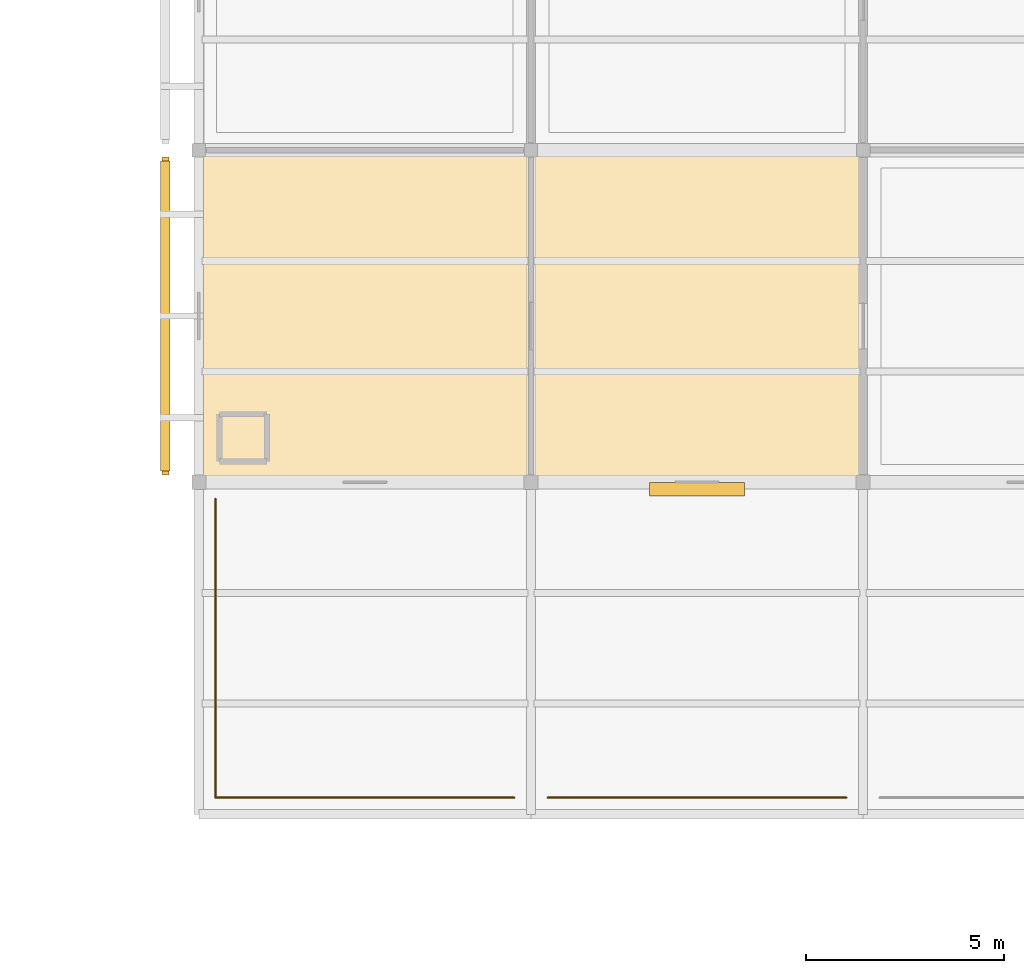
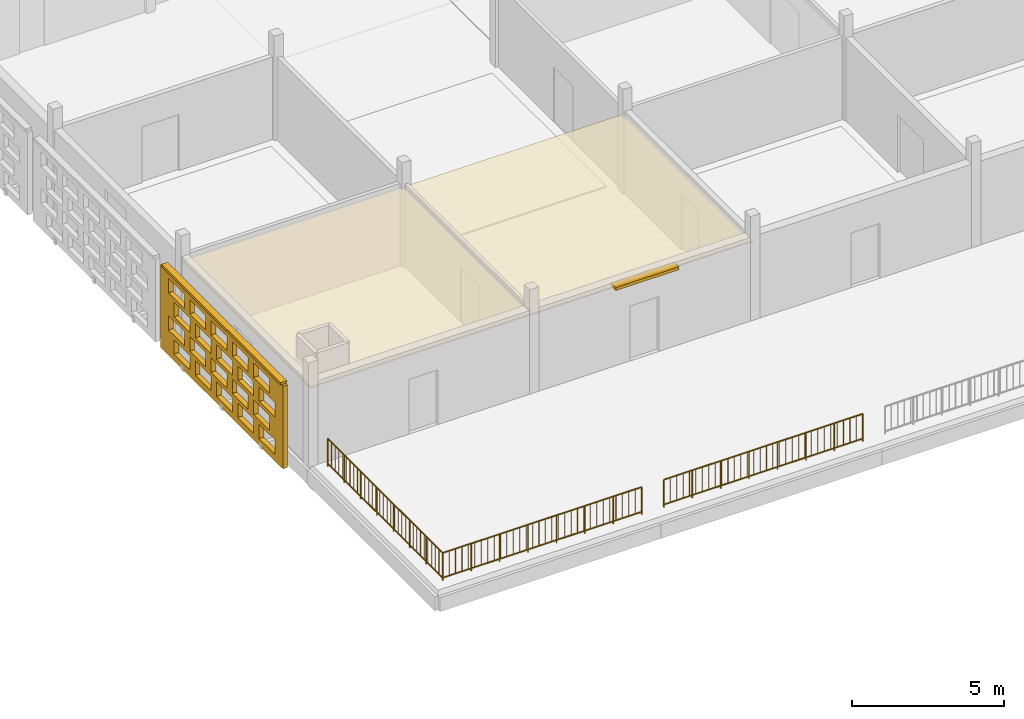
# One storey, part 96 of 103: 3 coverings, 3 railings, 2 shading devices, 20 openings.
"""IFC4 building model written with IfcOpenShell, lengths in metres."""

from ifc_helpers import new_model, si_unit, direction, frame, frame_2d, origin, origin_2d, place, context, subcontext, project, spatial, rectangle, circle, extrude, material, layer, layer_set, type_object, element, save


model = new_model("IFC4")

# Units and contexts
model_context = context("Model", 3, precision=1e-05, world=origin(), true_north=direction((0.0, 1.0)))
body_context = subcontext(model_context, "Body", "Model", "MODEL_VIEW")
ifc_project = project(units=[si_unit("LENGTHUNIT", "METRE"), si_unit("AREAUNIT", "SQUARE_METRE"), si_unit("VOLUMEUNIT", "CUBIC_METRE"), si_unit("PLANEANGLEUNIT", "RADIAN"), si_unit("MASSUNIT", "GRAM", prefix="KILO")], contexts=[model_context])

# Site, building, storey
site_placement = place(None, origin())
site = spatial("IfcSite", under=ifc_project, at=site_placement, CompositionType="ELEMENT")
building_placement = place(site_placement, origin())
building = spatial("IfcBuilding", under=site, at=building_placement, Name="Varnapada Polytechnic", CompositionType="ELEMENT")
storey_placement = place(building_placement, frame((0.0, 0.0, 18.0)))
storey = spatial("IfcBuildingStorey", under=building, at=storey_placement, Name="L04", CompositionType="ELEMENT", Elevation=18.0)

# Shading device
ifc_material_1 = material(Name="Anodised aluminium", Category="aluminium")
ifc_layer_1 = layer(ifc_material_1, 0.35009765625)
ifc_layer_set_1 = layer_set([ifc_layer_1], Name="Anodised aluminium")
shading_device_type_1 = type_object("IfcShadingDeviceType", Name="Solar Louvre LVR-01", PredefinedType="JALOUSIE", material=ifc_layer_set_1)
shading_device_1_placement = place(storey_placement, frame((155.39990234375, 67.02001953125, 3.159912109375), z_axis=(0.0, 0.0, 1.0), x_axis=(-1.0, 0.0, 0.0)))
element("IfcShadingDevice", 1, at=shading_device_1_placement, inside=storey, type_object=shading_device_type_1, Name="L04 aluminium sun louvre 49", PredefinedType="JALOUSIE", context=body_context, shape_type="SweptSolid", body=[
    extrude(rectangle(XDim=2.39990234375, YDim=0.340087890625, at=origin_2d()), origin(), (0.0, 0.0, 1.0), 0.1201171875),
])

# Coverings
ifc_material_2 = material(Name="Micro-Perforated Gypsum Acoustic Ceiling")
ifc_layer_2 = layer(ifc_material_2, 0.044921875)
ifc_layer_set_2 = layer_set([ifc_layer_2], Name="Micro-Perforated Gypsum Acoustic Ceiling")
covering_type_1 = type_object("IfcCoveringType", Name="Suspended Ceiling CLG-04", PredefinedType="CEILING", material=ifc_layer_set_2)
covering_1_placement = place(storey_placement, frame((155.39990234375, 71.39990234375, 3.027587890625), z_axis=(0.0, 0.0, 1.0), x_axis=(1.0, 0.0, 0.0)))
element("IfcCovering", 2, at=covering_1_placement, inside=storey, type_object=covering_type_1, Name="L04 suspended acoustic ceiling (19,9)", PredefinedType="CEILING", context=body_context, shape_type="SweptSolid", body=[
    extrude(rectangle(XDim=8.419921875, YDim=8.419921875, at=origin_2d()), origin(), (0.0, 0.0, 1.0), 0.044921875),
])
ifc_material_3 = material(Name="Slatted Merbau Timber Acoustic Ceiling", Category="wood")
ifc_layer_3 = layer(ifc_material_3, 0.054931640625)
ifc_layer_set_3 = layer_set([ifc_layer_3], Name="Slatted Merbau Timber Acoustic Ceiling")
covering_type_2 = type_object("IfcCoveringType", Name="Suspended Ceiling CLG-05", PredefinedType="CEILING", material=ifc_layer_set_3)
covering_2_placement = place(storey_placement, frame((147.0, 71.39990234375, 3.0224609375), z_axis=(0.0, 0.0, 1.0), x_axis=(1.0, 0.0, 0.0)))
element("IfcCovering", 3, at=covering_2_placement, inside=storey, type_object=covering_type_2, Name="L04 suspended acoustic ceiling (18,9)", PredefinedType="CEILING", context=body_context, shape_type="SweptSolid", body=[
    extrude(rectangle(XDim=8.419921875, YDim=8.419921875, at=origin_2d()), origin(), (0.0, 0.0, 1.0), 0.054931640625),
])

# Railings
ifc_material_4 = material(Name="Painted galvanized steel", Category="steel")
railing_type = type_object("IfcRailingType", Name="Terrace Guard Rail GRD-01", PredefinedType="BALUSTRADE", material=ifc_material_4)
railing_1_placement = place(storey_placement, frame((143.219970703125, 59.219970703125, 0.0)))
element("IfcRailing", 4, at=railing_1_placement, inside=storey, type_object=railing_type, Name="L04 terrace perimeter guard rail 6", PredefinedType="BALUSTRADE", context=body_context, shape_type="SweptSolid", body=[
    extrude(circle(Radius=0.02392578125, at=origin_2d()), frame((0.0, 0.0, 1.09619140625), z_axis=(1.0, 0.0, 0.0), x_axis=(0.0, 1.0, 0.0)), (0.0, 0.0, 1.0), 7.56005859375),
    extrude(circle(Radius=0.02392578125, at=origin_2d()), frame((0.0, 0.0, 0.10009765625), z_axis=(1.0, 0.0, 0.0), x_axis=(0.0, 1.0, 0.0)), (0.0, 0.0, 1.0), 7.56005859375),
    extrude(circle(Radius=0.02099609375, at=origin_2d()), origin(), (0.0, 0.0, 1.0), 1.072021484375),
    extrude(circle(Radius=0.02099609375, at=origin_2d()), frame((1.080078125, 0.0, 0.0)), (0.0, 0.0, 1.0), 1.072021484375),
    extrude(circle(Radius=0.02099609375, at=origin_2d()), frame((2.159912109375, 0.0, 0.0)), (0.0, 0.0, 1.0), 1.072021484375),
    extrude(circle(Radius=0.02099609375, at=origin_2d()), frame((3.239990234375, 0.0, 0.0)), (0.0, 0.0, 1.0), 1.072021484375),
    extrude(circle(Radius=0.02099609375, at=origin_2d()), frame((4.320068359375, 0.0, 0.0)), (0.0, 0.0, 1.0), 1.072021484375),
    extrude(circle(Radius=0.02099609375, at=origin_2d()), frame((5.400146484375, 0.0, 0.0)), (0.0, 0.0, 1.0), 1.072021484375),
    extrude(circle(Radius=0.02099609375, at=origin_2d()), frame((6.47998046875, 0.0, 0.0)), (0.0, 0.0, 1.0), 1.072021484375),
    extrude(circle(Radius=0.02099609375, at=origin_2d()), frame((7.56005859375, 0.0, 0.0)), (0.0, 0.0, 1.0), 1.072021484375),
    extrude(circle(Radius=0.010009765625, at=origin_2d()), frame((0.243896484375, 0.0, 0.10009765625)), (0.0, 0.0, 1.0), 0.971923828125),
    extrude(circle(Radius=0.010009765625, at=origin_2d()), frame((0.48779296875, 0.0, 0.10009765625)), (0.0, 0.0, 1.0), 0.971923828125),
    extrude(circle(Radius=0.010009765625, at=origin_2d()), frame((0.731689453125, 0.0, 0.10009765625)), (0.0, 0.0, 1.0), 0.971923828125),
    extrude(circle(Radius=0.010009765625, at=origin_2d()), frame((0.9755859375, 0.0, 0.10009765625)), (0.0, 0.0, 1.0), 0.971923828125),
    extrude(circle(Radius=0.010009765625, at=origin_2d()), frame((1.219482421875, 0.0, 0.10009765625)), (0.0, 0.0, 1.0), 0.971923828125),
    extrude(circle(Radius=0.010009765625, at=origin_2d()), frame((1.463134765625, 0.0, 0.10009765625)), (0.0, 0.0, 1.0), 0.971923828125),
    extrude(circle(Radius=0.010009765625, at=origin_2d()), frame((1.70703125, 0.0, 0.10009765625)), (0.0, 0.0, 1.0), 0.971923828125),
    extrude(circle(Radius=0.010009765625, at=origin_2d()), frame((1.950927734375, 0.0, 0.10009765625)), (0.0, 0.0, 1.0), 0.971923828125),
    extrude(circle(Radius=0.010009765625, at=origin_2d()), frame((2.19482421875, 0.0, 0.10009765625)), (0.0, 0.0, 1.0), 0.971923828125),
    extrude(circle(Radius=0.010009765625, at=origin_2d()), frame((2.438720703125, 0.0, 0.10009765625)), (0.0, 0.0, 1.0), 0.971923828125),
    extrude(circle(Radius=0.010009765625, at=origin_2d()), frame((2.6826171875, 0.0, 0.10009765625)), (0.0, 0.0, 1.0), 0.971923828125),
    extrude(circle(Radius=0.010009765625, at=origin_2d()), frame((2.926513671875, 0.0, 0.10009765625)), (0.0, 0.0, 1.0), 0.971923828125),
    extrude(circle(Radius=0.010009765625, at=origin_2d()), frame((3.17041015625, 0.0, 0.10009765625)), (0.0, 0.0, 1.0), 0.971923828125),
    extrude(circle(Radius=0.010009765625, at=origin_2d()), frame((3.414306640625, 0.0, 0.10009765625)), (0.0, 0.0, 1.0), 0.971923828125),
    extrude(circle(Radius=0.010009765625, at=origin_2d()), frame((3.658203125, 0.0, 0.10009765625)), (0.0, 0.0, 1.0), 0.971923828125),
    extrude(circle(Radius=0.010009765625, at=origin_2d()), frame((3.90185546875, 0.0, 0.10009765625)), (0.0, 0.0, 1.0), 0.971923828125),
    extrude(circle(Radius=0.010009765625, at=origin_2d()), frame((4.145751953125, 0.0, 0.10009765625)), (0.0, 0.0, 1.0), 0.971923828125),
    extrude(circle(Radius=0.010009765625, at=origin_2d()), frame((4.3896484375, 0.0, 0.10009765625)), (0.0, 0.0, 1.0), 0.971923828125),
    extrude(circle(Radius=0.010009765625, at=origin_2d()), frame((4.633544921875, 0.0, 0.10009765625)), (0.0, 0.0, 1.0), 0.971923828125),
    extrude(circle(Radius=0.010009765625, at=origin_2d()), frame((4.87744140625, 0.0, 0.10009765625)), (0.0, 0.0, 1.0), 0.971923828125),
    extrude(circle(Radius=0.010009765625, at=origin_2d()), frame((5.121337890625, 0.0, 0.10009765625)), (0.0, 0.0, 1.0), 0.971923828125),
    extrude(circle(Radius=0.010009765625, at=origin_2d()), frame((5.365234375, 0.0, 0.10009765625)), (0.0, 0.0, 1.0), 0.971923828125),
    extrude(circle(Radius=0.010009765625, at=origin_2d()), frame((5.609130859375, 0.0, 0.10009765625)), (0.0, 0.0, 1.0), 0.971923828125),
    extrude(circle(Radius=0.010009765625, at=origin_2d()), frame((5.85302734375, 0.0, 0.10009765625)), (0.0, 0.0, 1.0), 0.971923828125),
    extrude(circle(Radius=0.010009765625, at=origin_2d()), frame((6.096923828125, 0.0, 0.10009765625)), (0.0, 0.0, 1.0), 0.971923828125),
    extrude(circle(Radius=0.010009765625, at=origin_2d()), frame((6.340576171875, 0.0, 0.10009765625)), (0.0, 0.0, 1.0), 0.971923828125),
    extrude(circle(Radius=0.010009765625, at=origin_2d()), frame((6.58447265625, 0.0, 0.10009765625)), (0.0, 0.0, 1.0), 0.971923828125),
    extrude(circle(Radius=0.010009765625, at=origin_2d()), frame((6.828369140625, 0.0, 0.10009765625)), (0.0, 0.0, 1.0), 0.971923828125),
    extrude(circle(Radius=0.010009765625, at=origin_2d()), frame((7.072265625, 0.0, 0.10009765625)), (0.0, 0.0, 1.0), 0.971923828125),
    extrude(circle(Radius=0.010009765625, at=origin_2d()), frame((7.316162109375, 0.0, 0.10009765625)), (0.0, 0.0, 1.0), 0.971923828125),
])
railing_2_placement = place(storey_placement, frame((143.219970703125, 59.219970703125, 0.0)))
element("IfcRailing", 5, at=railing_2_placement, inside=storey, type_object=railing_type, Name="L04 terrace perimeter guard rail 7", PredefinedType="BALUSTRADE", context=body_context, shape_type="SweptSolid", body=[
    extrude(circle(Radius=0.02392578125, at=origin_2d()), frame((0.0, 0.0, 1.09619140625), z_axis=(0.0, 1.0, 0.0), x_axis=(-1.0, 0.0, 0.0)), (0.0, 0.0, 1.0), 7.56005859375),
    extrude(circle(Radius=0.02392578125, at=origin_2d()), frame((0.0, 0.0, 0.10009765625), z_axis=(0.0, 1.0, 0.0), x_axis=(-1.0, 0.0, 0.0)), (0.0, 0.0, 1.0), 7.56005859375),
    extrude(circle(Radius=0.02099609375, at=origin_2d()), origin(), (0.0, 0.0, 1.0), 1.072021484375),
    extrude(circle(Radius=0.02099609375, at=origin_2d()), frame((0.0, 1.080078125, 0.0)), (0.0, 0.0, 1.0), 1.072021484375),
    extrude(circle(Radius=0.02099609375, at=origin_2d()), frame((0.0, 2.159912109375, 0.0)), (0.0, 0.0, 1.0), 1.072021484375),
    extrude(circle(Radius=0.02099609375, at=origin_2d()), frame((0.0, 3.239990234375, 0.0)), (0.0, 0.0, 1.0), 1.072021484375),
    extrude(circle(Radius=0.02099609375, at=origin_2d()), frame((0.0, 4.320068359375, 0.0)), (0.0, 0.0, 1.0), 1.072021484375),
    extrude(circle(Radius=0.02099609375, at=origin_2d()), frame((0.0, 5.400146484375, 0.0)), (0.0, 0.0, 1.0), 1.072021484375),
    extrude(circle(Radius=0.02099609375, at=origin_2d()), frame((0.0, 6.47998046875, 0.0)), (0.0, 0.0, 1.0), 1.072021484375),
    extrude(circle(Radius=0.02099609375, at=origin_2d()), frame((0.0, 7.56005859375, 0.0)), (0.0, 0.0, 1.0), 1.072021484375),
    extrude(circle(Radius=0.010009765625, at=origin_2d()), frame((0.0, 0.243896484375, 0.10009765625)), (0.0, 0.0, 1.0), 0.971923828125),
    extrude(circle(Radius=0.010009765625, at=origin_2d()), frame((0.0, 0.48779296875, 0.10009765625)), (0.0, 0.0, 1.0), 0.971923828125),
    extrude(circle(Radius=0.010009765625, at=origin_2d()), frame((0.0, 0.731689453125, 0.10009765625)), (0.0, 0.0, 1.0), 0.971923828125),
    extrude(circle(Radius=0.010009765625, at=origin_2d()), frame((0.0, 0.9755859375, 0.10009765625)), (0.0, 0.0, 1.0), 0.971923828125),
    extrude(circle(Radius=0.010009765625, at=origin_2d()), frame((0.0, 1.219482421875, 0.10009765625)), (0.0, 0.0, 1.0), 0.971923828125),
    extrude(circle(Radius=0.010009765625, at=origin_2d()), frame((0.0, 1.463134765625, 0.10009765625)), (0.0, 0.0, 1.0), 0.971923828125),
    extrude(circle(Radius=0.010009765625, at=origin_2d()), frame((0.0, 1.70703125, 0.10009765625)), (0.0, 0.0, 1.0), 0.971923828125),
    extrude(circle(Radius=0.010009765625, at=origin_2d()), frame((0.0, 1.950927734375, 0.10009765625)), (0.0, 0.0, 1.0), 0.971923828125),
    extrude(circle(Radius=0.010009765625, at=origin_2d()), frame((0.0, 2.19482421875, 0.10009765625)), (0.0, 0.0, 1.0), 0.971923828125),
    extrude(circle(Radius=0.010009765625, at=origin_2d()), frame((0.0, 2.438720703125, 0.10009765625)), (0.0, 0.0, 1.0), 0.971923828125),
    extrude(circle(Radius=0.010009765625, at=origin_2d()), frame((0.0, 2.6826171875, 0.10009765625)), (0.0, 0.0, 1.0), 0.971923828125),
    extrude(circle(Radius=0.010009765625, at=origin_2d()), frame((0.0, 2.926513671875, 0.10009765625)), (0.0, 0.0, 1.0), 0.971923828125),
    extrude(circle(Radius=0.010009765625, at=origin_2d()), frame((0.0, 3.17041015625, 0.10009765625)), (0.0, 0.0, 1.0), 0.971923828125),
    extrude(circle(Radius=0.010009765625, at=origin_2d()), frame((0.0, 3.414306640625, 0.10009765625)), (0.0, 0.0, 1.0), 0.971923828125),
    extrude(circle(Radius=0.010009765625, at=origin_2d()), frame((0.0, 3.658203125, 0.10009765625)), (0.0, 0.0, 1.0), 0.971923828125),
    extrude(circle(Radius=0.010009765625, at=origin_2d()), frame((0.0, 3.90185546875, 0.10009765625)), (0.0, 0.0, 1.0), 0.971923828125),
    extrude(circle(Radius=0.010009765625, at=origin_2d()), frame((0.0, 4.145751953125, 0.10009765625)), (0.0, 0.0, 1.0), 0.971923828125),
    extrude(circle(Radius=0.010009765625, at=origin_2d()), frame((0.0, 4.3896484375, 0.10009765625)), (0.0, 0.0, 1.0), 0.971923828125),
    extrude(circle(Radius=0.010009765625, at=origin_2d()), frame((0.0, 4.633544921875, 0.10009765625)), (0.0, 0.0, 1.0), 0.971923828125),
    extrude(circle(Radius=0.010009765625, at=origin_2d()), frame((0.0, 4.87744140625, 0.10009765625)), (0.0, 0.0, 1.0), 0.971923828125),
    extrude(circle(Radius=0.010009765625, at=origin_2d()), frame((0.0, 5.121337890625, 0.10009765625)), (0.0, 0.0, 1.0), 0.971923828125),
    extrude(circle(Radius=0.010009765625, at=origin_2d()), frame((0.0, 5.365234375, 0.10009765625)), (0.0, 0.0, 1.0), 0.971923828125),
    extrude(circle(Radius=0.010009765625, at=origin_2d()), frame((0.0, 5.609130859375, 0.10009765625)), (0.0, 0.0, 1.0), 0.971923828125),
    extrude(circle(Radius=0.010009765625, at=origin_2d()), frame((0.0, 5.85302734375, 0.10009765625)), (0.0, 0.0, 1.0), 0.971923828125),
    extrude(circle(Radius=0.010009765625, at=origin_2d()), frame((0.0, 6.096923828125, 0.10009765625)), (0.0, 0.0, 1.0), 0.971923828125),
    extrude(circle(Radius=0.010009765625, at=origin_2d()), frame((0.0, 6.340576171875, 0.10009765625)), (0.0, 0.0, 1.0), 0.971923828125),
    extrude(circle(Radius=0.010009765625, at=origin_2d()), frame((0.0, 6.58447265625, 0.10009765625)), (0.0, 0.0, 1.0), 0.971923828125),
    extrude(circle(Radius=0.010009765625, at=origin_2d()), frame((0.0, 6.828369140625, 0.10009765625)), (0.0, 0.0, 1.0), 0.971923828125),
    extrude(circle(Radius=0.010009765625, at=origin_2d()), frame((0.0, 7.072265625, 0.10009765625)), (0.0, 0.0, 1.0), 0.971923828125),
    extrude(circle(Radius=0.010009765625, at=origin_2d()), frame((0.0, 7.316162109375, 0.10009765625)), (0.0, 0.0, 1.0), 0.971923828125),
])
railing_3_placement = place(storey_placement, frame((151.6201171875, 59.219970703125, 0.0)))
element("IfcRailing", 6, at=railing_3_placement, inside=storey, type_object=railing_type, Name="L04 terrace perimeter guard rail 8", PredefinedType="BALUSTRADE", context=body_context, shape_type="SweptSolid", body=[
    extrude(circle(Radius=0.02392578125, at=origin_2d()), frame((0.0, 0.0, 1.09619140625), z_axis=(1.0, 0.0, 0.0), x_axis=(0.0, 1.0, 0.0)), (0.0, 0.0, 1.0), 7.559814453125),
    extrude(circle(Radius=0.02392578125, at=origin_2d()), frame((0.0, 0.0, 0.10009765625), z_axis=(1.0, 0.0, 0.0), x_axis=(0.0, 1.0, 0.0)), (0.0, 0.0, 1.0), 7.559814453125),
    extrude(circle(Radius=0.02099609375, at=origin_2d()), origin(), (0.0, 0.0, 1.0), 1.072021484375),
    extrude(circle(Radius=0.02099609375, at=origin_2d()), frame((1.080078125, 0.0, 0.0)), (0.0, 0.0, 1.0), 1.072021484375),
    extrude(circle(Radius=0.02099609375, at=origin_2d()), frame((2.159912109375, 0.0, 0.0)), (0.0, 0.0, 1.0), 1.072021484375),
    extrude(circle(Radius=0.02099609375, at=origin_2d()), frame((3.239990234375, 0.0, 0.0)), (0.0, 0.0, 1.0), 1.072021484375),
    extrude(circle(Radius=0.02099609375, at=origin_2d()), frame((4.31982421875, 0.0, 0.0)), (0.0, 0.0, 1.0), 1.072021484375),
    extrude(circle(Radius=0.02099609375, at=origin_2d()), frame((5.39990234375, 0.0, 0.0)), (0.0, 0.0, 1.0), 1.072021484375),
    extrude(circle(Radius=0.02099609375, at=origin_2d()), frame((6.479736328125, 0.0, 0.0)), (0.0, 0.0, 1.0), 1.072021484375),
    extrude(circle(Radius=0.02099609375, at=origin_2d()), frame((7.559814453125, 0.0, 0.0)), (0.0, 0.0, 1.0), 1.072021484375),
    extrude(circle(Radius=0.010009765625, at=origin_2d()), frame((0.243896484375, 0.0, 0.10009765625)), (0.0, 0.0, 1.0), 0.971923828125),
    extrude(circle(Radius=0.010009765625, at=origin_2d()), frame((0.48779296875, 0.0, 0.10009765625)), (0.0, 0.0, 1.0), 0.971923828125),
    extrude(circle(Radius=0.010009765625, at=origin_2d()), frame((0.731689453125, 0.0, 0.10009765625)), (0.0, 0.0, 1.0), 0.971923828125),
    extrude(circle(Radius=0.010009765625, at=origin_2d()), frame((0.975341796875, 0.0, 0.10009765625)), (0.0, 0.0, 1.0), 0.971923828125),
    extrude(circle(Radius=0.010009765625, at=origin_2d()), frame((1.21923828125, 0.0, 0.10009765625)), (0.0, 0.0, 1.0), 0.971923828125),
    extrude(circle(Radius=0.010009765625, at=origin_2d()), frame((1.463134765625, 0.0, 0.10009765625)), (0.0, 0.0, 1.0), 0.971923828125),
    extrude(circle(Radius=0.010009765625, at=origin_2d()), frame((1.70703125, 0.0, 0.10009765625)), (0.0, 0.0, 1.0), 0.971923828125),
    extrude(circle(Radius=0.010009765625, at=origin_2d()), frame((1.950927734375, 0.0, 0.10009765625)), (0.0, 0.0, 1.0), 0.971923828125),
    extrude(circle(Radius=0.010009765625, at=origin_2d()), frame((2.19482421875, 0.0, 0.10009765625)), (0.0, 0.0, 1.0), 0.971923828125),
    extrude(circle(Radius=0.010009765625, at=origin_2d()), frame((2.438720703125, 0.0, 0.10009765625)), (0.0, 0.0, 1.0), 0.971923828125),
    extrude(circle(Radius=0.010009765625, at=origin_2d()), frame((2.6826171875, 0.0, 0.10009765625)), (0.0, 0.0, 1.0), 0.971923828125),
    extrude(circle(Radius=0.010009765625, at=origin_2d()), frame((2.92626953125, 0.0, 0.10009765625)), (0.0, 0.0, 1.0), 0.971923828125),
    extrude(circle(Radius=0.010009765625, at=origin_2d()), frame((3.170166015625, 0.0, 0.10009765625)), (0.0, 0.0, 1.0), 0.971923828125),
    extrude(circle(Radius=0.010009765625, at=origin_2d()), frame((3.4140625, 0.0, 0.10009765625)), (0.0, 0.0, 1.0), 0.971923828125),
    extrude(circle(Radius=0.010009765625, at=origin_2d()), frame((3.657958984375, 0.0, 0.10009765625)), (0.0, 0.0, 1.0), 0.971923828125),
    extrude(circle(Radius=0.010009765625, at=origin_2d()), frame((3.90185546875, 0.0, 0.10009765625)), (0.0, 0.0, 1.0), 0.971923828125),
    extrude(circle(Radius=0.010009765625, at=origin_2d()), frame((4.145751953125, 0.0, 0.10009765625)), (0.0, 0.0, 1.0), 0.971923828125),
    extrude(circle(Radius=0.010009765625, at=origin_2d()), frame((4.3896484375, 0.0, 0.10009765625)), (0.0, 0.0, 1.0), 0.971923828125),
    extrude(circle(Radius=0.010009765625, at=origin_2d()), frame((4.633544921875, 0.0, 0.10009765625)), (0.0, 0.0, 1.0), 0.971923828125),
    extrude(circle(Radius=0.010009765625, at=origin_2d()), frame((4.877197265625, 0.0, 0.10009765625)), (0.0, 0.0, 1.0), 0.971923828125),
    extrude(circle(Radius=0.010009765625, at=origin_2d()), frame((5.12109375, 0.0, 0.10009765625)), (0.0, 0.0, 1.0), 0.971923828125),
    extrude(circle(Radius=0.010009765625, at=origin_2d()), frame((5.364990234375, 0.0, 0.10009765625)), (0.0, 0.0, 1.0), 0.971923828125),
    extrude(circle(Radius=0.010009765625, at=origin_2d()), frame((5.60888671875, 0.0, 0.10009765625)), (0.0, 0.0, 1.0), 0.971923828125),
    extrude(circle(Radius=0.010009765625, at=origin_2d()), frame((5.852783203125, 0.0, 0.10009765625)), (0.0, 0.0, 1.0), 0.971923828125),
    extrude(circle(Radius=0.010009765625, at=origin_2d()), frame((6.0966796875, 0.0, 0.10009765625)), (0.0, 0.0, 1.0), 0.971923828125),
    extrude(circle(Radius=0.010009765625, at=origin_2d()), frame((6.340576171875, 0.0, 0.10009765625)), (0.0, 0.0, 1.0), 0.971923828125),
    extrude(circle(Radius=0.010009765625, at=origin_2d()), frame((6.58447265625, 0.0, 0.10009765625)), (0.0, 0.0, 1.0), 0.971923828125),
    extrude(circle(Radius=0.010009765625, at=origin_2d()), frame((6.828125, 0.0, 0.10009765625)), (0.0, 0.0, 1.0), 0.971923828125),
    extrude(circle(Radius=0.010009765625, at=origin_2d()), frame((7.072021484375, 0.0, 0.10009765625)), (0.0, 0.0, 1.0), 0.971923828125),
    extrude(circle(Radius=0.010009765625, at=origin_2d()), frame((7.31591796875, 0.0, 0.10009765625)), (0.0, 0.0, 1.0), 0.971923828125),
])

# Covering, openings
ifc_material_5 = material(Name="Earth-toned architectural terracotta screen block", Category="masonry")
ifc_layer_4 = layer(ifc_material_5, 0.1201171875)
ifc_layer_set_4 = layer_set([ifc_layer_4], Name="Earth-toned architectural terracotta screen block")
covering_type_3 = type_object("IfcCoveringType", Name="Terracotta Screen Cladding CLD-01", PredefinedType="CLADDING", material=ifc_layer_set_4)
covering_3_placement = place(storey_placement, frame((141.949951171875, 67.3798828125, 0.0), z_axis=(0.0, 0.0, 1.0), x_axis=(0.0, 1.0, 0.0)))
covering_3 = element("IfcCovering", 7, at=covering_3_placement, inside=storey, type_object=covering_type_3, Name="L04 perforated terracotta block screen (42)", PredefinedType="CLADDING", context=body_context, shape_type="SweptSolid", body=[
    extrude(rectangle(XDim=8.050048828125, YDim=0.179931640625, at=frame_2d((4.02490234375, 0.0))), origin(), (0.0, 0.0, 1.0), 3.320068359375),
])
opening_1_placement = place(covering_3_placement, frame((0.52490234375, 0.0, 0.265625)))
element("IfcOpeningElement", 8, at=opening_1_placement, cuts=covering_3, Name="Screen perforation TBS-L04-041.1", PredefinedType="OPENING", context=body_context, shape_type="SweptSolid", body=[
    extrude(rectangle(XDim=1.0400390625, YDim=0.5810546875, at=frame_2d((0.52001953125, 0.29052734375))), frame((0.0, 0.099853515625, 0.0), z_axis=(0.0, -1.0, 0.0), x_axis=(1.0, 0.0, 0.0)), (0.0, 0.0, 1.0), 0.199951171875),
])
opening_2_placement = place(covering_3_placement, frame((1.925048828125, 0.0, 0.265625)))
element("IfcOpeningElement", 9, at=opening_2_placement, cuts=covering_3, Name="Screen perforation TBS-L04-041.2", PredefinedType="OPENING", context=body_context, shape_type="SweptSolid", body=[
    extrude(rectangle(XDim=1.0400390625, YDim=0.5810546875, at=frame_2d((0.52001953125, 0.29052734375))), frame((0.0, 0.099853515625, 0.0), z_axis=(0.0, -1.0, 0.0), x_axis=(1.0, 0.0, 0.0)), (0.0, 0.0, 1.0), 0.199951171875),
])
opening_3_placement = place(covering_3_placement, frame((3.324951171875, 0.0, 0.265625)))
element("IfcOpeningElement", 10, at=opening_3_placement, cuts=covering_3, Name="Screen perforation TBS-L04-041.3", PredefinedType="OPENING", context=body_context, shape_type="SweptSolid", body=[
    extrude(rectangle(XDim=1.0400390625, YDim=0.5810546875, at=frame_2d((0.52001953125, 0.29052734375))), frame((0.0, 0.099853515625, 0.0), z_axis=(0.0, -1.0, 0.0), x_axis=(1.0, 0.0, 0.0)), (0.0, 0.0, 1.0), 0.199951171875),
])
opening_4_placement = place(covering_3_placement, frame((4.72509765625, 0.0, 0.265625)))
element("IfcOpeningElement", 11, at=opening_4_placement, cuts=covering_3, Name="Screen perforation TBS-L04-041.4", PredefinedType="OPENING", context=body_context, shape_type="SweptSolid", body=[
    extrude(rectangle(XDim=1.0400390625, YDim=0.5810546875, at=frame_2d((0.52001953125, 0.29052734375))), frame((0.0, 0.099853515625, 0.0), z_axis=(0.0, -1.0, 0.0), x_axis=(1.0, 0.0, 0.0)), (0.0, 0.0, 1.0), 0.199951171875),
])
opening_5_placement = place(covering_3_placement, frame((6.125, 0.0, 0.265625)))
element("IfcOpeningElement", 12, at=opening_5_placement, cuts=covering_3, Name="Screen perforation TBS-L04-041.5", PredefinedType="OPENING", context=body_context, shape_type="SweptSolid", body=[
    extrude(rectangle(XDim=1.0400390625, YDim=0.5810546875, at=frame_2d((0.52001953125, 0.29052734375))), frame((0.0, 0.099853515625, 0.0), z_axis=(0.0, -1.0, 0.0), x_axis=(1.0, 0.0, 0.0)), (0.0, 0.0, 1.0), 0.199951171875),
])
opening_6_placement = place(covering_3_placement, frame((0.885009765625, 0.0, 1.0126953125)))
element("IfcOpeningElement", 13, at=opening_6_placement, cuts=covering_3, Name="Screen perforation TBS-L04-041.6", PredefinedType="OPENING", context=body_context, shape_type="SweptSolid", body=[
    extrude(rectangle(XDim=1.0400390625, YDim=0.5810546875, at=frame_2d((0.52001953125, 0.29052734375))), frame((0.0, 0.099853515625, 0.0), z_axis=(0.0, -1.0, 0.0), x_axis=(1.0, 0.0, 0.0)), (0.0, 0.0, 1.0), 0.199951171875),
])
opening_7_placement = place(covering_3_placement, frame((2.284912109375, 0.0, 1.0126953125)))
element("IfcOpeningElement", 14, at=opening_7_placement, cuts=covering_3, Name="Screen perforation TBS-L04-041.7", PredefinedType="OPENING", context=body_context, shape_type="SweptSolid", body=[
    extrude(rectangle(XDim=1.0400390625, YDim=0.5810546875, at=frame_2d((0.52001953125, 0.29052734375))), frame((0.0, 0.099853515625, 0.0), z_axis=(0.0, -1.0, 0.0), x_axis=(1.0, 0.0, 0.0)), (0.0, 0.0, 1.0), 0.199951171875),
])
opening_8_placement = place(covering_3_placement, frame((3.68505859375, 0.0, 1.0126953125)))
element("IfcOpeningElement", 15, at=opening_8_placement, cuts=covering_3, Name="Screen perforation TBS-L04-041.8", PredefinedType="OPENING", context=body_context, shape_type="SweptSolid", body=[
    extrude(rectangle(XDim=1.0400390625, YDim=0.5810546875, at=frame_2d((0.52001953125, 0.29052734375))), frame((0.0, 0.099853515625, 0.0), z_axis=(0.0, -1.0, 0.0), x_axis=(1.0, 0.0, 0.0)), (0.0, 0.0, 1.0), 0.199951171875),
])
opening_9_placement = place(covering_3_placement, frame((5.0849609375, 0.0, 1.0126953125)))
element("IfcOpeningElement", 16, at=opening_9_placement, cuts=covering_3, Name="Screen perforation TBS-L04-041.9", PredefinedType="OPENING", context=body_context, shape_type="SweptSolid", body=[
    extrude(rectangle(XDim=1.0400390625, YDim=0.5810546875, at=frame_2d((0.52001953125, 0.29052734375))), frame((0.0, 0.099853515625, 0.0), z_axis=(0.0, -1.0, 0.0), x_axis=(1.0, 0.0, 0.0)), (0.0, 0.0, 1.0), 0.199951171875),
])
opening_10_placement = place(covering_3_placement, frame((6.485107421875, 0.0, 1.0126953125)))
element("IfcOpeningElement", 17, at=opening_10_placement, cuts=covering_3, Name="Screen perforation TBS-L04-041.10", PredefinedType="OPENING", context=body_context, shape_type="SweptSolid", body=[
    extrude(rectangle(XDim=1.0400390625, YDim=0.5810546875, at=frame_2d((0.52001953125, 0.29052734375))), frame((0.0, 0.099853515625, 0.0), z_axis=(0.0, -1.0, 0.0), x_axis=(1.0, 0.0, 0.0)), (0.0, 0.0, 1.0), 0.199951171875),
])
opening_11_placement = place(covering_3_placement, frame((0.52490234375, 0.0, 1.759521484375)))
element("IfcOpeningElement", 18, at=opening_11_placement, cuts=covering_3, Name="Screen perforation TBS-L04-041.11", PredefinedType="OPENING", context=body_context, shape_type="SweptSolid", body=[
    extrude(rectangle(XDim=1.0400390625, YDim=0.5810546875, at=frame_2d((0.52001953125, 0.29052734375))), frame((0.0, 0.099853515625, 0.0), z_axis=(0.0, -1.0, 0.0), x_axis=(1.0, 0.0, 0.0)), (0.0, 0.0, 1.0), 0.199951171875),
])
opening_12_placement = place(covering_3_placement, frame((1.925048828125, 0.0, 1.759521484375)))
element("IfcOpeningElement", 19, at=opening_12_placement, cuts=covering_3, Name="Screen perforation TBS-L04-041.12", PredefinedType="OPENING", context=body_context, shape_type="SweptSolid", body=[
    extrude(rectangle(XDim=1.0400390625, YDim=0.5810546875, at=frame_2d((0.52001953125, 0.29052734375))), frame((0.0, 0.099853515625, 0.0), z_axis=(0.0, -1.0, 0.0), x_axis=(1.0, 0.0, 0.0)), (0.0, 0.0, 1.0), 0.199951171875),
])
opening_13_placement = place(covering_3_placement, frame((3.324951171875, 0.0, 1.759521484375)))
element("IfcOpeningElement", 20, at=opening_13_placement, cuts=covering_3, Name="Screen perforation TBS-L04-041.13", PredefinedType="OPENING", context=body_context, shape_type="SweptSolid", body=[
    extrude(rectangle(XDim=1.0400390625, YDim=0.5810546875, at=frame_2d((0.52001953125, 0.29052734375))), frame((0.0, 0.099853515625, 0.0), z_axis=(0.0, -1.0, 0.0), x_axis=(1.0, 0.0, 0.0)), (0.0, 0.0, 1.0), 0.199951171875),
])
opening_14_placement = place(covering_3_placement, frame((4.72509765625, 0.0, 1.759521484375)))
element("IfcOpeningElement", 21, at=opening_14_placement, cuts=covering_3, Name="Screen perforation TBS-L04-041.14", PredefinedType="OPENING", context=body_context, shape_type="SweptSolid", body=[
    extrude(rectangle(XDim=1.0400390625, YDim=0.5810546875, at=frame_2d((0.52001953125, 0.29052734375))), frame((0.0, 0.099853515625, 0.0), z_axis=(0.0, -1.0, 0.0), x_axis=(1.0, 0.0, 0.0)), (0.0, 0.0, 1.0), 0.199951171875),
])
opening_15_placement = place(covering_3_placement, frame((6.125, 0.0, 1.759521484375)))
element("IfcOpeningElement", 22, at=opening_15_placement, cuts=covering_3, Name="Screen perforation TBS-L04-041.15", PredefinedType="OPENING", context=body_context, shape_type="SweptSolid", body=[
    extrude(rectangle(XDim=1.0400390625, YDim=0.5810546875, at=frame_2d((0.52001953125, 0.29052734375))), frame((0.0, 0.099853515625, 0.0), z_axis=(0.0, -1.0, 0.0), x_axis=(1.0, 0.0, 0.0)), (0.0, 0.0, 1.0), 0.199951171875),
])
opening_16_placement = place(covering_3_placement, frame((0.885009765625, 0.0, 2.506591796875)))
element("IfcOpeningElement", 23, at=opening_16_placement, cuts=covering_3, Name="Screen perforation TBS-L04-041.16", PredefinedType="OPENING", context=body_context, shape_type="SweptSolid", body=[
    extrude(rectangle(XDim=1.0400390625, YDim=0.5810546875, at=frame_2d((0.52001953125, 0.29052734375))), frame((0.0, 0.099853515625, 0.0), z_axis=(0.0, -1.0, 0.0), x_axis=(1.0, 0.0, 0.0)), (0.0, 0.0, 1.0), 0.199951171875),
])
opening_17_placement = place(covering_3_placement, frame((2.284912109375, 0.0, 2.506591796875)))
element("IfcOpeningElement", 24, at=opening_17_placement, cuts=covering_3, Name="Screen perforation TBS-L04-041.17", PredefinedType="OPENING", context=body_context, shape_type="SweptSolid", body=[
    extrude(rectangle(XDim=1.0400390625, YDim=0.5810546875, at=frame_2d((0.52001953125, 0.29052734375))), frame((0.0, 0.099853515625, 0.0), z_axis=(0.0, -1.0, 0.0), x_axis=(1.0, 0.0, 0.0)), (0.0, 0.0, 1.0), 0.199951171875),
])
opening_18_placement = place(covering_3_placement, frame((3.68505859375, 0.0, 2.506591796875)))
element("IfcOpeningElement", 25, at=opening_18_placement, cuts=covering_3, Name="Screen perforation TBS-L04-041.18", PredefinedType="OPENING", context=body_context, shape_type="SweptSolid", body=[
    extrude(rectangle(XDim=1.0400390625, YDim=0.5810546875, at=frame_2d((0.52001953125, 0.29052734375))), frame((0.0, 0.099853515625, 0.0), z_axis=(0.0, -1.0, 0.0), x_axis=(1.0, 0.0, 0.0)), (0.0, 0.0, 1.0), 0.199951171875),
])
opening_19_placement = place(covering_3_placement, frame((5.0849609375, 0.0, 2.506591796875)))
element("IfcOpeningElement", 26, at=opening_19_placement, cuts=covering_3, Name="Screen perforation TBS-L04-041.19", PredefinedType="OPENING", context=body_context, shape_type="SweptSolid", body=[
    extrude(rectangle(XDim=1.0400390625, YDim=0.5810546875, at=frame_2d((0.52001953125, 0.29052734375))), frame((0.0, 0.099853515625, 0.0), z_axis=(0.0, -1.0, 0.0), x_axis=(1.0, 0.0, 0.0)), (0.0, 0.0, 1.0), 0.199951171875),
])
opening_20_placement = place(covering_3_placement, frame((6.485107421875, 0.0, 2.506591796875)))
element("IfcOpeningElement", 27, at=opening_20_placement, cuts=covering_3, Name="Screen perforation TBS-L04-041.20", PredefinedType="OPENING", context=body_context, shape_type="SweptSolid", body=[
    extrude(rectangle(XDim=1.0400390625, YDim=0.5810546875, at=frame_2d((0.52001953125, 0.29052734375))), frame((0.0, 0.099853515625, 0.0), z_axis=(0.0, -1.0, 0.0), x_axis=(1.0, 0.0, 0.0)), (0.0, 0.0, 1.0), 0.199951171875),
])

# Shading device
ifc_layer_5 = layer(ifc_material_5, 0.179931640625)
ifc_layer_set_5 = layer_set([ifc_layer_5], Name="Earth-toned architectural terracotta screen block")
shading_device_type_2 = type_object("IfcShadingDeviceType", Name="Terracotta Screen SCR-01", PredefinedType="USERDEFINED", material=ifc_layer_set_5)
shading_device_2_placement = place(storey_placement, frame((141.949951171875, 71.405029296875, 3.31005859375), z_axis=(0.0, 0.0, 1.0), x_axis=(0.0, 1.0, 0.0)))
element("IfcShadingDevice", 28, at=shading_device_2_placement, inside=storey, type_object=shading_device_type_2, Name="L04 perforated terracotta screen hood 460", ObjectType="SCREEN", PredefinedType="USERDEFINED", context=body_context, shape_type="SweptSolid", body=[
    extrude(rectangle(XDim=7.85009765625, YDim=0.239990234375, at=origin_2d()), origin(), (0.0, 0.0, 1.0), 0.10009765625),
])

save(model, "model.ifc")
